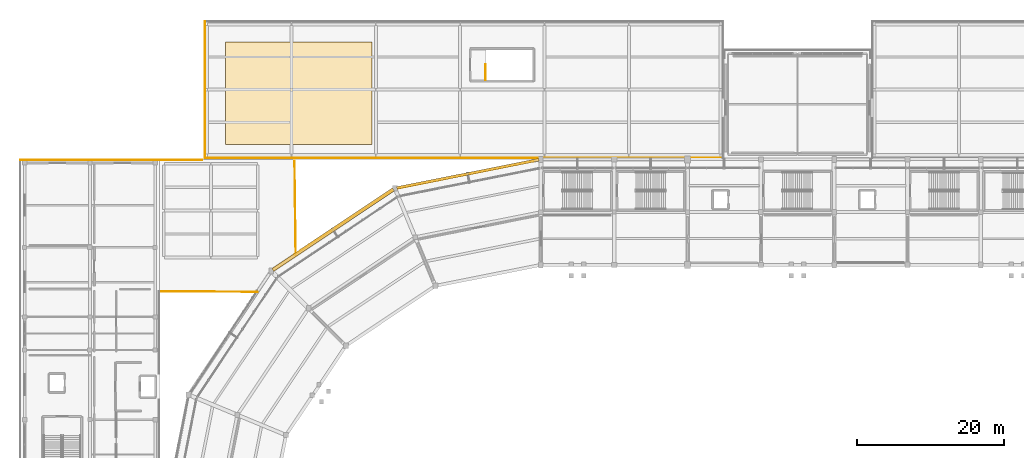
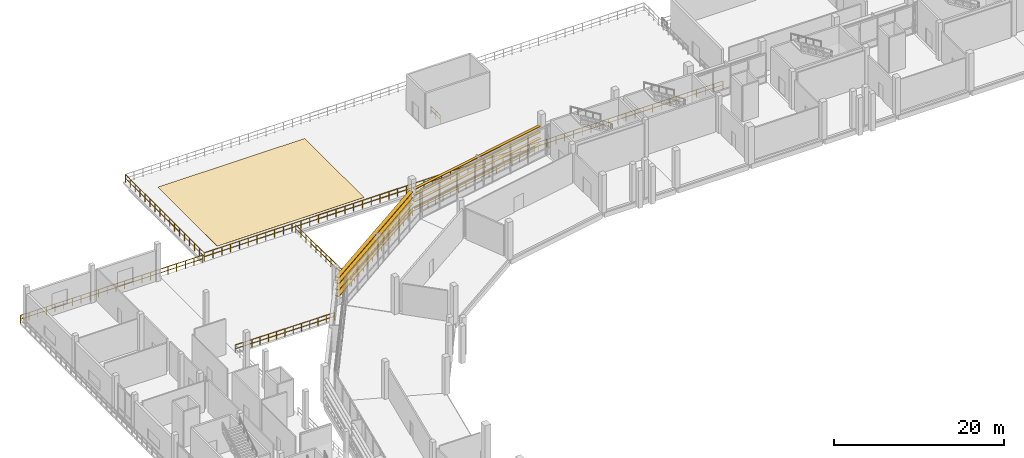
# One storey, part 104 of 111: 8 railings, 8 shading devices, 1 covering.
"""IFC4 building model written with IfcOpenShell, lengths in metres."""

from ifc_helpers import new_model, si_unit, direction, frame, origin, origin_2d, place, context, subcontext, project, spatial, polyline, rectangle, circle, outline, extrude, material, layer, layer_set, type_object, element, save


model = new_model("IFC4")

# Units and contexts
model_context = context("Model", 3, precision=1e-05, world=origin(), true_north=direction((0.0, 1.0)))
body_context = subcontext(model_context, "Body", "Model", "MODEL_VIEW")
ifc_project = project(units=[si_unit("LENGTHUNIT", "METRE"), si_unit("AREAUNIT", "SQUARE_METRE"), si_unit("VOLUMEUNIT", "CUBIC_METRE"), si_unit("PLANEANGLEUNIT", "RADIAN"), si_unit("MASSUNIT", "GRAM", prefix="KILO")], contexts=[model_context])

# Site, building, storey
site_placement = place(None, origin())
site = spatial("IfcSite", under=ifc_project, at=site_placement, CompositionType="ELEMENT")
building_placement = place(site_placement, origin())
building = spatial("IfcBuilding", under=site, at=building_placement, Name="Candeia Ridge Stadium", CompositionType="ELEMENT")
storey_placement = place(building_placement, frame((0.0, 0.0, 16.199951171875)))
storey = spatial("IfcBuildingStorey", under=building, at=storey_placement, Name="L03", CompositionType="ELEMENT", Elevation=16.199951171875)

# Railings
ifc_material_1 = material(Name="Laminated Glass & Stainless Steel", Category="steel")
ifc_layer_1 = layer(ifc_material_1, 0.080078125, Name="Laminated Glass & Stainless Steel", Category="steel")
ifc_layer_set_1 = layer_set([ifc_layer_1], Name="Laminated Glass & Stainless Steel")
railing_type_1 = type_object("IfcRailingType", Name="Planted Terrace Glass-Steel Guard 1150", PredefinedType="BALUSTRADE", material=ifc_layer_set_1)
railing_1_placement = place(storey_placement, frame((95.800048828125, 147.199951171875, 0.0)))
element("IfcRailing", 1, at=railing_1_placement, inside=storey, type_object=railing_type_1, Name="Terrace perimeter balustrade GR-TER-187", PredefinedType="BALUSTRADE", context=body_context, shape_type="SweptSolid", body=[
    extrude(circle(Radius=0.02392578125, at=origin_2d()), frame((0.0, 0.0, 1.1259765625), z_axis=(-1.0, 0.0, 0.0), x_axis=(0.0, -1.0, 0.0)), (0.0, 0.0, 1.0), 70.60009765625),
    extrude(circle(Radius=0.02392578125, at=origin_2d()), frame((0.0, 0.0, 0.574951171875), z_axis=(-1.0, 0.0, 0.0), x_axis=(0.0, -1.0, 0.0)), (0.0, 0.0, 1.0), 70.60009765625),
    extrude(circle(Radius=0.02099609375, at=origin_2d()), origin(), (0.0, 0.0, 1.0), 1.101806640625),
    extrude(circle(Radius=0.02099609375, at=origin_2d()), frame((-1.196533203125, 0.0, 0.0)), (0.0, 0.0, 1.0), 1.101806640625),
    extrude(circle(Radius=0.02099609375, at=origin_2d()), frame((-2.393310546875, 0.0, 0.0)), (0.0, 0.0, 1.0), 1.101806640625),
    extrude(circle(Radius=0.02099609375, at=origin_2d()), frame((-3.58984375, 0.0, 0.0)), (0.0, 0.0, 1.0), 1.101806640625),
    extrude(circle(Radius=0.02099609375, at=origin_2d()), frame((-4.786376953125, 0.0, 0.0)), (0.0, 0.0, 1.0), 1.101806640625),
    extrude(circle(Radius=0.02099609375, at=origin_2d()), frame((-5.983154296875, 0.0, 0.0)), (0.0, 0.0, 1.0), 1.101806640625),
    extrude(circle(Radius=0.02099609375, at=origin_2d()), frame((-7.1796875, 0.0, 0.0)), (0.0, 0.0, 1.0), 1.101806640625),
    extrude(circle(Radius=0.02099609375, at=origin_2d()), frame((-8.376220703125, 0.0, 0.0)), (0.0, 0.0, 1.0), 1.101806640625),
    extrude(circle(Radius=0.02099609375, at=origin_2d()), frame((-9.572998046875, 0.0, 0.0)), (0.0, 0.0, 1.0), 1.101806640625),
    extrude(circle(Radius=0.02099609375, at=origin_2d()), frame((-10.76953125, 0.0, 0.0)), (0.0, 0.0, 1.0), 1.101806640625),
    extrude(circle(Radius=0.02099609375, at=origin_2d()), frame((-11.966064453125, 0.0, 0.0)), (0.0, 0.0, 1.0), 1.101806640625),
    extrude(circle(Radius=0.02099609375, at=origin_2d()), frame((-13.162841796875, 0.0, 0.0)), (0.0, 0.0, 1.0), 1.101806640625),
    extrude(circle(Radius=0.02099609375, at=origin_2d()), frame((-14.359375, 0.0, 0.0)), (0.0, 0.0, 1.0), 1.101806640625),
    extrude(circle(Radius=0.02099609375, at=origin_2d()), frame((-15.555908203125, 0.0, 0.0)), (0.0, 0.0, 1.0), 1.101806640625),
    extrude(circle(Radius=0.02099609375, at=origin_2d()), frame((-16.752685546875, 0.0, 0.0)), (0.0, 0.0, 1.0), 1.101806640625),
    extrude(circle(Radius=0.02099609375, at=origin_2d()), frame((-17.94921875, 0.0, 0.0)), (0.0, 0.0, 1.0), 1.101806640625),
    extrude(circle(Radius=0.02099609375, at=origin_2d()), frame((-19.145751953125, 0.0, 0.0)), (0.0, 0.0, 1.0), 1.101806640625),
    extrude(circle(Radius=0.02099609375, at=origin_2d()), frame((-20.34228515625, 0.0, 0.0)), (0.0, 0.0, 1.0), 1.101806640625),
    extrude(circle(Radius=0.02099609375, at=origin_2d()), frame((-21.5390625, 0.0, 0.0)), (0.0, 0.0, 1.0), 1.101806640625),
    extrude(circle(Radius=0.02099609375, at=origin_2d()), frame((-22.735595703125, 0.0, 0.0)), (0.0, 0.0, 1.0), 1.101806640625),
    extrude(circle(Radius=0.02099609375, at=origin_2d()), frame((-23.93212890625, 0.0, 0.0)), (0.0, 0.0, 1.0), 1.101806640625),
    extrude(circle(Radius=0.02099609375, at=origin_2d()), frame((-25.12890625, 0.0, 0.0)), (0.0, 0.0, 1.0), 1.101806640625),
    extrude(circle(Radius=0.02099609375, at=origin_2d()), frame((-26.325439453125, 0.0, 0.0)), (0.0, 0.0, 1.0), 1.101806640625),
    extrude(circle(Radius=0.02099609375, at=origin_2d()), frame((-27.52197265625, 0.0, 0.0)), (0.0, 0.0, 1.0), 1.101806640625),
    extrude(circle(Radius=0.02099609375, at=origin_2d()), frame((-28.71875, 0.0, 0.0)), (0.0, 0.0, 1.0), 1.101806640625),
    extrude(circle(Radius=0.02099609375, at=origin_2d()), frame((-29.915283203125, 0.0, 0.0)), (0.0, 0.0, 1.0), 1.101806640625),
    extrude(circle(Radius=0.02099609375, at=origin_2d()), frame((-31.11181640625, 0.0, 0.0)), (0.0, 0.0, 1.0), 1.101806640625),
    extrude(circle(Radius=0.02099609375, at=origin_2d()), frame((-32.30859375, 0.0, 0.0)), (0.0, 0.0, 1.0), 1.101806640625),
    extrude(circle(Radius=0.02099609375, at=origin_2d()), frame((-33.505126953125, 0.0, 0.0)), (0.0, 0.0, 1.0), 1.101806640625),
    extrude(circle(Radius=0.02099609375, at=origin_2d()), frame((-34.70166015625, 0.0, 0.0)), (0.0, 0.0, 1.0), 1.101806640625),
    extrude(circle(Radius=0.02099609375, at=origin_2d()), frame((-35.8984375, 0.0, 0.0)), (0.0, 0.0, 1.0), 1.101806640625),
    extrude(circle(Radius=0.02099609375, at=origin_2d()), frame((-37.094970703125, 0.0, 0.0)), (0.0, 0.0, 1.0), 1.101806640625),
    extrude(circle(Radius=0.02099609375, at=origin_2d()), frame((-38.29150390625, 0.0, 0.0)), (0.0, 0.0, 1.0), 1.101806640625),
    extrude(circle(Radius=0.02099609375, at=origin_2d()), frame((-39.48828125, 0.0, 0.0)), (0.0, 0.0, 1.0), 1.101806640625),
    extrude(circle(Radius=0.02099609375, at=origin_2d()), frame((-40.684814453125, 0.0, 0.0)), (0.0, 0.0, 1.0), 1.101806640625),
    extrude(circle(Radius=0.02099609375, at=origin_2d()), frame((-41.88134765625, 0.0, 0.0)), (0.0, 0.0, 1.0), 1.101806640625),
    extrude(circle(Radius=0.02099609375, at=origin_2d()), frame((-43.078125, 0.0, 0.0)), (0.0, 0.0, 1.0), 1.101806640625),
    extrude(circle(Radius=0.02099609375, at=origin_2d()), frame((-44.274658203125, 0.0, 0.0)), (0.0, 0.0, 1.0), 1.101806640625),
    extrude(circle(Radius=0.02099609375, at=origin_2d()), frame((-45.47119140625, 0.0, 0.0)), (0.0, 0.0, 1.0), 1.101806640625),
    extrude(circle(Radius=0.02099609375, at=origin_2d()), frame((-46.66796875, 0.0, 0.0)), (0.0, 0.0, 1.0), 1.101806640625),
    extrude(circle(Radius=0.02099609375, at=origin_2d()), frame((-47.864501953125, 0.0, 0.0)), (0.0, 0.0, 1.0), 1.101806640625),
    extrude(circle(Radius=0.02099609375, at=origin_2d()), frame((-49.06103515625, 0.0, 0.0)), (0.0, 0.0, 1.0), 1.101806640625),
    extrude(circle(Radius=0.02099609375, at=origin_2d()), frame((-50.2578125, 0.0, 0.0)), (0.0, 0.0, 1.0), 1.101806640625),
    extrude(circle(Radius=0.02099609375, at=origin_2d()), frame((-51.454345703125, 0.0, 0.0)), (0.0, 0.0, 1.0), 1.101806640625),
    extrude(circle(Radius=0.02099609375, at=origin_2d()), frame((-52.65087890625, 0.0, 0.0)), (0.0, 0.0, 1.0), 1.101806640625),
    extrude(circle(Radius=0.02099609375, at=origin_2d()), frame((-53.847412109375, 0.0, 0.0)), (0.0, 0.0, 1.0), 1.101806640625),
    extrude(circle(Radius=0.02099609375, at=origin_2d()), frame((-55.044189453125, 0.0, 0.0)), (0.0, 0.0, 1.0), 1.101806640625),
    extrude(circle(Radius=0.02099609375, at=origin_2d()), frame((-56.24072265625, 0.0, 0.0)), (0.0, 0.0, 1.0), 1.101806640625),
    extrude(circle(Radius=0.02099609375, at=origin_2d()), frame((-57.437255859375, 0.0, 0.0)), (0.0, 0.0, 1.0), 1.101806640625),
    extrude(circle(Radius=0.02099609375, at=origin_2d()), frame((-58.634033203125, 0.0, 0.0)), (0.0, 0.0, 1.0), 1.101806640625),
    extrude(circle(Radius=0.02099609375, at=origin_2d()), frame((-59.83056640625, 0.0, 0.0)), (0.0, 0.0, 1.0), 1.101806640625),
    extrude(circle(Radius=0.02099609375, at=origin_2d()), frame((-61.027099609375, 0.0, 0.0)), (0.0, 0.0, 1.0), 1.101806640625),
    extrude(circle(Radius=0.02099609375, at=origin_2d()), frame((-62.223876953125, 0.0, 0.0)), (0.0, 0.0, 1.0), 1.101806640625),
    extrude(circle(Radius=0.02099609375, at=origin_2d()), frame((-63.42041015625, 0.0, 0.0)), (0.0, 0.0, 1.0), 1.101806640625),
    extrude(circle(Radius=0.02099609375, at=origin_2d()), frame((-64.616943359375, 0.0, 0.0)), (0.0, 0.0, 1.0), 1.101806640625),
    extrude(circle(Radius=0.02099609375, at=origin_2d()), frame((-65.813720703125, 0.0, 0.0)), (0.0, 0.0, 1.0), 1.101806640625),
    extrude(circle(Radius=0.02099609375, at=origin_2d()), frame((-67.01025390625, 0.0, 0.0)), (0.0, 0.0, 1.0), 1.101806640625),
    extrude(circle(Radius=0.02099609375, at=origin_2d()), frame((-68.206787109375, 0.0, 0.0)), (0.0, 0.0, 1.0), 1.101806640625),
    extrude(circle(Radius=0.02099609375, at=origin_2d()), frame((-69.403564453125, 0.0, 0.0)), (0.0, 0.0, 1.0), 1.101806640625),
    extrude(circle(Radius=0.02099609375, at=origin_2d()), frame((-70.60009765625, 0.0, 0.0)), (0.0, 0.0, 1.0), 1.101806640625),
])
railing_2_placement = place(storey_placement, frame((25.199951171875, 147.199951171875, 0.0)))
element("IfcRailing", 2, at=railing_2_placement, inside=storey, type_object=railing_type_1, Name="Terrace perimeter balustrade GR-TER-188", PredefinedType="BALUSTRADE", context=body_context, shape_type="SweptSolid", body=[
    extrude(circle(Radius=0.02392578125, at=origin_2d()), frame((0.0, 0.0, 1.1259765625), z_axis=(0.0, 1.0, 0.0), x_axis=(-1.0, 0.0, 0.0)), (0.0, 0.0, 1.0), 18.60009765625),
    extrude(circle(Radius=0.02392578125, at=origin_2d()), frame((0.0, 0.0, 0.574951171875), z_axis=(0.0, 1.0, 0.0), x_axis=(-1.0, 0.0, 0.0)), (0.0, 0.0, 1.0), 18.60009765625),
    extrude(circle(Radius=0.02099609375, at=origin_2d()), origin(), (0.0, 0.0, 1.0), 1.101806640625),
    extrude(circle(Radius=0.02099609375, at=origin_2d()), frame((0.0, 1.16259765625, 0.0)), (0.0, 0.0, 1.0), 1.101806640625),
    extrude(circle(Radius=0.02099609375, at=origin_2d()), frame((0.0, 2.324951171875, 0.0)), (0.0, 0.0, 1.0), 1.101806640625),
    extrude(circle(Radius=0.02099609375, at=origin_2d()), frame((0.0, 3.487548828125, 0.0)), (0.0, 0.0, 1.0), 1.101806640625),
    extrude(circle(Radius=0.02099609375, at=origin_2d()), frame((0.0, 4.64990234375, 0.0)), (0.0, 0.0, 1.0), 1.101806640625),
    extrude(circle(Radius=0.02099609375, at=origin_2d()), frame((0.0, 5.8125, 0.0)), (0.0, 0.0, 1.0), 1.101806640625),
    extrude(circle(Radius=0.02099609375, at=origin_2d()), frame((0.0, 6.97509765625, 0.0)), (0.0, 0.0, 1.0), 1.101806640625),
    extrude(circle(Radius=0.02099609375, at=origin_2d()), frame((0.0, 8.137451171875, 0.0)), (0.0, 0.0, 1.0), 1.101806640625),
    extrude(circle(Radius=0.02099609375, at=origin_2d()), frame((0.0, 9.300048828125, 0.0)), (0.0, 0.0, 1.0), 1.101806640625),
    extrude(circle(Radius=0.02099609375, at=origin_2d()), frame((0.0, 10.462646484375, 0.0)), (0.0, 0.0, 1.0), 1.101806640625),
    extrude(circle(Radius=0.02099609375, at=origin_2d()), frame((0.0, 11.625, 0.0)), (0.0, 0.0, 1.0), 1.101806640625),
    extrude(circle(Radius=0.02099609375, at=origin_2d()), frame((0.0, 12.78759765625, 0.0)), (0.0, 0.0, 1.0), 1.101806640625),
    extrude(circle(Radius=0.02099609375, at=origin_2d()), frame((0.0, 13.9501953125, 0.0)), (0.0, 0.0, 1.0), 1.101806640625),
    extrude(circle(Radius=0.02099609375, at=origin_2d()), frame((0.0, 15.112548828125, 0.0)), (0.0, 0.0, 1.0), 1.101806640625),
    extrude(circle(Radius=0.02099609375, at=origin_2d()), frame((0.0, 16.275146484375, 0.0)), (0.0, 0.0, 1.0), 1.101806640625),
    extrude(circle(Radius=0.02099609375, at=origin_2d()), frame((0.0, 17.4375, 0.0)), (0.0, 0.0, 1.0), 1.101806640625),
    extrude(circle(Radius=0.02099609375, at=origin_2d()), frame((0.0, 18.60009765625, 0.0)), (0.0, 0.0, 1.0), 1.101806640625),
])

# Covering
ifc_material_2 = material(Name="EPDM Root-Barrier Waterproof Membrane", Category="concrete")
ifc_layer_2 = layer(ifc_material_2, 0.02001953125, Name="EPDM Root-Barrier Waterproof Membrane", Category="concrete")
ifc_layer_set_2 = layer_set([ifc_layer_2], Name="EPDM Root-Barrier Waterproof Membrane")
covering_type = type_object("IfcCoveringType", Name="Planted Terrace Waterproof Membrane 20", PredefinedType="ROOFING", material=ifc_layer_set_2)
covering_placement = place(storey_placement, origin())
element("IfcCovering", 3, at=covering_placement, inside=storey, type_object=covering_type, Name="Terrace waterproof membrane RMEM-03", PredefinedType="ROOFING", context=body_context, shape_type="SweptSolid", body=[
    extrude(outline(polyline([(28.0, 149.0), (48.0, 149.0), (48.0, 163.0), (28.0, 163.0), (28.0, 149.0)])), origin(), (0.0, 0.0, 1.0), 0.02001953125),
])

# Railings
ifc_material_3 = material(Name="Galvanized Powder-Coated Steel", Category="steel")
ifc_layer_3 = layer(ifc_material_3, 0.074951171875, Name="Galvanized Powder-Coated Steel", Category="steel")
ifc_layer_set_3 = layer_set([ifc_layer_3], Name="Galvanized Powder-Coated Steel")
railing_type_2 = type_object("IfcRailingType", Name="Spectator Bowl Front Guardrail 1120", PredefinedType="GUARDRAIL", material=ifc_layer_set_3)
railing_3_placement = place(storey_placement, frame((0.0, 146.919921875, 0.0)))
element("IfcRailing", 4, at=railing_3_placement, inside=storey, type_object=railing_type_2, Name="Deck edge safety guardrail GR-DE-L03-0147", PredefinedType="GUARDRAIL", context=body_context, shape_type="SweptSolid", body=[
    extrude(circle(Radius=0.02392578125, at=origin_2d()), frame((0.0, 0.0, 1.09619140625), z_axis=(1.0, 0.0, 0.0), x_axis=(0.0, 1.0, 0.0)), (0.0, 0.0, 1.0), 24.830810546875),
    extrude(circle(Radius=0.02392578125, at=origin_2d()), frame((0.0, 0.0, 0.56005859375), z_axis=(1.0, 0.0, 0.0), x_axis=(0.0, 1.0, 0.0)), (0.0, 0.0, 1.0), 24.830810546875),
    extrude(circle(Radius=0.02099609375, at=origin_2d()), origin(), (0.0, 0.0, 1.0), 1.072021484375),
    extrude(circle(Radius=0.02099609375, at=origin_2d()), frame((1.182373046875, 0.0, 0.0)), (0.0, 0.0, 1.0), 1.072021484375),
    extrude(circle(Radius=0.02099609375, at=origin_2d()), frame((2.36474609375, 0.0, 0.0)), (0.0, 0.0, 1.0), 1.072021484375),
    extrude(circle(Radius=0.02099609375, at=origin_2d()), frame((3.54736328125, 0.0, 0.0)), (0.0, 0.0, 1.0), 1.072021484375),
    extrude(circle(Radius=0.02099609375, at=origin_2d()), frame((4.729736328125, 0.0, 0.0)), (0.0, 0.0, 1.0), 1.072021484375),
    extrude(circle(Radius=0.02099609375, at=origin_2d()), frame((5.912109375, 0.0, 0.0)), (0.0, 0.0, 1.0), 1.072021484375),
    extrude(circle(Radius=0.02099609375, at=origin_2d()), frame((7.094482421875, 0.0, 0.0)), (0.0, 0.0, 1.0), 1.072021484375),
    extrude(circle(Radius=0.02099609375, at=origin_2d()), frame((8.27685546875, 0.0, 0.0)), (0.0, 0.0, 1.0), 1.072021484375),
    extrude(circle(Radius=0.02099609375, at=origin_2d()), frame((9.45947265625, 0.0, 0.0)), (0.0, 0.0, 1.0), 1.072021484375),
    extrude(circle(Radius=0.02099609375, at=origin_2d()), frame((10.641845703125, 0.0, 0.0)), (0.0, 0.0, 1.0), 1.072021484375),
    extrude(circle(Radius=0.02099609375, at=origin_2d()), frame((11.82421875, 0.0, 0.0)), (0.0, 0.0, 1.0), 1.072021484375),
    extrude(circle(Radius=0.02099609375, at=origin_2d()), frame((13.006591796875, 0.0, 0.0)), (0.0, 0.0, 1.0), 1.072021484375),
    extrude(circle(Radius=0.02099609375, at=origin_2d()), frame((14.18896484375, 0.0, 0.0)), (0.0, 0.0, 1.0), 1.072021484375),
    extrude(circle(Radius=0.02099609375, at=origin_2d()), frame((15.371337890625, 0.0, 0.0)), (0.0, 0.0, 1.0), 1.072021484375),
    extrude(circle(Radius=0.02099609375, at=origin_2d()), frame((16.553955078125, 0.0, 0.0)), (0.0, 0.0, 1.0), 1.072021484375),
    extrude(circle(Radius=0.02099609375, at=origin_2d()), frame((17.736328125, 0.0, 0.0)), (0.0, 0.0, 1.0), 1.072021484375),
    extrude(circle(Radius=0.02099609375, at=origin_2d()), frame((18.918701171875, 0.0, 0.0)), (0.0, 0.0, 1.0), 1.072021484375),
    extrude(circle(Radius=0.02099609375, at=origin_2d()), frame((20.10107421875, 0.0, 0.0)), (0.0, 0.0, 1.0), 1.072021484375),
    extrude(circle(Radius=0.02099609375, at=origin_2d()), frame((21.283447265625, 0.0, 0.0)), (0.0, 0.0, 1.0), 1.072021484375),
    extrude(circle(Radius=0.02099609375, at=origin_2d()), frame((22.466064453125, 0.0, 0.0)), (0.0, 0.0, 1.0), 1.072021484375),
    extrude(circle(Radius=0.02099609375, at=origin_2d()), frame((23.6484375, 0.0, 0.0)), (0.0, 0.0, 1.0), 1.072021484375),
    extrude(circle(Radius=0.02099609375, at=origin_2d()), frame((24.830810546875, 0.0, 0.0)), (0.0, 0.0, 1.0), 1.072021484375),
])
railing_4_placement = place(storey_placement, frame((37.45556640625, 134.020751953125, 0.0)))
element("IfcRailing", 5, at=railing_4_placement, inside=storey, type_object=railing_type_2, Name="Deck edge safety guardrail GR-DE-L03-0174", PredefinedType="GUARDRAIL", context=body_context, shape_type="SweptSolid", body=[
    extrude(circle(Radius=0.02392578125, at=origin_2d()), frame((0.0, 0.0, 1.09619140625), z_axis=(0.836677098571, 0.547696478651, 0.0), x_axis=(-0.547696478651, 0.836677098571, 0.0)), (0.0, 0.0, 1.0), 16.3271484375),
    extrude(circle(Radius=0.02392578125, at=origin_2d()), frame((0.0, 0.0, 0.56005859375), z_axis=(0.836677098571, 0.547696478651, 0.0), x_axis=(-0.547696478651, 0.836677098571, 0.0)), (0.0, 0.0, 1.0), 16.3271484375),
    extrude(circle(Radius=0.02099609375, at=origin_2d()), origin(), (0.0, 0.0, 1.0), 1.072021484375),
    extrude(circle(Radius=0.02099609375, at=origin_2d()), frame((0.975830078125, 0.638671875, 0.0)), (0.0, 0.0, 1.0), 1.072021484375),
    extrude(circle(Radius=0.02099609375, at=origin_2d()), frame((1.951416015625, 1.277587890625, 0.0)), (0.0, 0.0, 1.0), 1.072021484375),
    extrude(circle(Radius=0.02099609375, at=origin_2d()), frame((2.92724609375, 1.916259765625, 0.0)), (0.0, 0.0, 1.0), 1.072021484375),
    extrude(circle(Radius=0.02099609375, at=origin_2d()), frame((3.903076171875, 2.554931640625, 0.0)), (0.0, 0.0, 1.0), 1.072021484375),
    extrude(circle(Radius=0.02099609375, at=origin_2d()), frame((4.87890625, 3.193603515625, 0.0)), (0.0, 0.0, 1.0), 1.072021484375),
    extrude(circle(Radius=0.02099609375, at=origin_2d()), frame((5.8544921875, 3.83251953125, 0.0)), (0.0, 0.0, 1.0), 1.072021484375),
    extrude(circle(Radius=0.02099609375, at=origin_2d()), frame((6.830322265625, 4.47119140625, 0.0)), (0.0, 0.0, 1.0), 1.072021484375),
    extrude(circle(Radius=0.02099609375, at=origin_2d()), frame((7.80615234375, 5.10986328125, 0.0)), (0.0, 0.0, 1.0), 1.072021484375),
    extrude(circle(Radius=0.02099609375, at=origin_2d()), frame((8.78173828125, 5.748779296875, 0.0)), (0.0, 0.0, 1.0), 1.072021484375),
    extrude(circle(Radius=0.02099609375, at=origin_2d()), frame((9.757568359375, 6.387451171875, 0.0)), (0.0, 0.0, 1.0), 1.072021484375),
    extrude(circle(Radius=0.02099609375, at=origin_2d()), frame((10.7333984375, 7.026123046875, 0.0)), (0.0, 0.0, 1.0), 1.072021484375),
    extrude(circle(Radius=0.02099609375, at=origin_2d()), frame((11.709228515625, 7.664794921875, 0.0)), (0.0, 0.0, 1.0), 1.072021484375),
    extrude(circle(Radius=0.02099609375, at=origin_2d()), frame((12.684814453125, 8.3037109375, 0.0)), (0.0, 0.0, 1.0), 1.072021484375),
    extrude(circle(Radius=0.02099609375, at=origin_2d()), frame((13.66064453125, 8.9423828125, 0.0)), (0.0, 0.0, 1.0), 1.072021484375),
])
railing_5_placement = place(storey_placement, frame((51.1162109375, 142.963134765625, 0.0)))
element("IfcRailing", 6, at=railing_5_placement, inside=storey, type_object=railing_type_2, Name="Deck edge safety guardrail GR-DE-L03-0175", PredefinedType="GUARDRAIL", context=body_context, shape_type="SweptSolid", body=[
    extrude(circle(Radius=0.02392578125, at=origin_2d()), frame((0.0, 0.0, 1.09619140625), z_axis=(0.980784978629, 0.195091839133, 0.0), x_axis=(-0.195091839133, 0.980784978629, 0.0)), (0.0, 0.0, 1.0), 19.16162109375),
    extrude(circle(Radius=0.02392578125, at=origin_2d()), frame((0.0, 0.0, 0.56005859375), z_axis=(0.980784978629, 0.195091839133, 0.0), x_axis=(-0.195091839133, 0.980784978629, 0.0)), (0.0, 0.0, 1.0), 19.16162109375),
    extrude(circle(Radius=0.02099609375, at=origin_2d()), origin(), (0.0, 0.0, 1.0), 1.072021484375),
    extrude(circle(Radius=0.02099609375, at=origin_2d()), frame((1.174560546875, 0.233642578125, 0.0)), (0.0, 0.0, 1.0), 1.072021484375),
    extrude(circle(Radius=0.02099609375, at=origin_2d()), frame((2.34912109375, 0.46728515625, 0.0)), (0.0, 0.0, 1.0), 1.072021484375),
    extrude(circle(Radius=0.02099609375, at=origin_2d()), frame((3.523681640625, 0.700927734375, 0.0)), (0.0, 0.0, 1.0), 1.072021484375),
    extrude(circle(Radius=0.02099609375, at=origin_2d()), frame((4.6982421875, 0.9345703125, 0.0)), (0.0, 0.0, 1.0), 1.072021484375),
    extrude(circle(Radius=0.02099609375, at=origin_2d()), frame((5.873046875, 1.168212890625, 0.0)), (0.0, 0.0, 1.0), 1.072021484375),
    extrude(circle(Radius=0.02099609375, at=origin_2d()), frame((7.047607421875, 1.40185546875, 0.0)), (0.0, 0.0, 1.0), 1.072021484375),
    extrude(circle(Radius=0.02099609375, at=origin_2d()), frame((8.22216796875, 1.635498046875, 0.0)), (0.0, 0.0, 1.0), 1.072021484375),
    extrude(circle(Radius=0.02099609375, at=origin_2d()), frame((9.396728515625, 1.869140625, 0.0)), (0.0, 0.0, 1.0), 1.072021484375),
    extrude(circle(Radius=0.02099609375, at=origin_2d()), frame((10.5712890625, 2.102783203125, 0.0)), (0.0, 0.0, 1.0), 1.072021484375),
    extrude(circle(Radius=0.02099609375, at=origin_2d()), frame((11.745849609375, 2.33642578125, 0.0)), (0.0, 0.0, 1.0), 1.072021484375),
    extrude(circle(Radius=0.02099609375, at=origin_2d()), frame((12.92041015625, 2.570068359375, 0.0)), (0.0, 0.0, 1.0), 1.072021484375),
    extrude(circle(Radius=0.02099609375, at=origin_2d()), frame((14.09521484375, 2.8037109375, 0.0)), (0.0, 0.0, 1.0), 1.072021484375),
    extrude(circle(Radius=0.02099609375, at=origin_2d()), frame((15.269775390625, 3.037353515625, 0.0)), (0.0, 0.0, 1.0), 1.072021484375),
    extrude(circle(Radius=0.02099609375, at=origin_2d()), frame((16.4443359375, 3.27099609375, 0.0)), (0.0, 0.0, 1.0), 1.072021484375),
    extrude(circle(Radius=0.02099609375, at=origin_2d()), frame((17.618896484375, 3.504638671875, 0.0)), (0.0, 0.0, 1.0), 1.072021484375),
    extrude(circle(Radius=0.02099609375, at=origin_2d()), frame((18.79345703125, 3.73828125, 0.0)), (0.0, 0.0, 1.0), 1.072021484375),
])
railing_6_placement = place(storey_placement, frame((37.419921875, 146.780029296875, 0.0)))
element("IfcRailing", 7, at=railing_6_placement, inside=storey, type_object=railing_type_2, Name="Deck edge safety guardrail GR-DE-L03-0176", PredefinedType="GUARDRAIL", context=body_context, shape_type="SweptSolid", body=[
    extrude(circle(Radius=0.02392578125, at=origin_2d()), frame((0.0, 0.0, 1.09619140625), z_axis=(0.012485940102, -0.999922047612, 0.0), x_axis=(0.999922047612, 0.012485940102, 0.0)), (0.0, 0.0, 1.0), 12.826904296875),
    extrude(circle(Radius=0.02392578125, at=origin_2d()), frame((0.0, 0.0, 0.56005859375), z_axis=(0.012485940102, -0.999922047612, 0.0), x_axis=(0.999922047612, 0.012485940102, 0.0)), (0.0, 0.0, 1.0), 12.826904296875),
    extrude(circle(Radius=0.02099609375, at=origin_2d()), origin(), (0.0, 0.0, 1.0), 1.072021484375),
    extrude(circle(Radius=0.02099609375, at=origin_2d()), frame((0.0146484375, -1.166015625, 0.0)), (0.0, 0.0, 1.0), 1.072021484375),
    extrude(circle(Radius=0.02099609375, at=origin_2d()), frame((0.029052734375, -2.33203125, 0.0)), (0.0, 0.0, 1.0), 1.072021484375),
    extrude(circle(Radius=0.02099609375, at=origin_2d()), frame((0.043701171875, -3.498046875, 0.0)), (0.0, 0.0, 1.0), 1.072021484375),
    extrude(circle(Radius=0.02099609375, at=origin_2d()), frame((0.058349609375, -4.6640625, 0.0)), (0.0, 0.0, 1.0), 1.072021484375),
    extrude(circle(Radius=0.02099609375, at=origin_2d()), frame((0.07275390625, -5.830078125, 0.0)), (0.0, 0.0, 1.0), 1.072021484375),
    extrude(circle(Radius=0.02099609375, at=origin_2d()), frame((0.08740234375, -6.995849609375, 0.0)), (0.0, 0.0, 1.0), 1.072021484375),
    extrude(circle(Radius=0.02099609375, at=origin_2d()), frame((0.101806640625, -8.161865234375, 0.0)), (0.0, 0.0, 1.0), 1.072021484375),
    extrude(circle(Radius=0.02099609375, at=origin_2d()), frame((0.116455078125, -9.327880859375, 0.0)), (0.0, 0.0, 1.0), 1.072021484375),
    extrude(circle(Radius=0.02099609375, at=origin_2d()), frame((0.131103515625, -10.493896484375, 0.0)), (0.0, 0.0, 1.0), 1.072021484375),
    extrude(circle(Radius=0.02099609375, at=origin_2d()), frame((0.1455078125, -11.659912109375, 0.0)), (0.0, 0.0, 1.0), 1.072021484375),
    extrude(circle(Radius=0.02099609375, at=origin_2d()), frame((0.16015625, -12.825927734375, 0.0)), (0.0, 0.0, 1.0), 1.072021484375),
])
railing_7_placement = place(storey_placement, frame((32.3798828125, 128.919921875, 0.0)))
element("IfcRailing", 8, at=railing_7_placement, inside=storey, type_object=railing_type_2, Name="Deck edge safety guardrail GR-DE-L03-0177", PredefinedType="GUARDRAIL", context=body_context, shape_type="SweptSolid", body=[
    extrude(circle(Radius=0.02392578125, at=origin_2d()), frame((0.0, 0.0, 1.09619140625), z_axis=(-0.99998230304, 0.005949252619, 0.0), x_axis=(-0.005949252619, -0.99998230304, 0.0)), (0.0, 0.0, 1.0), 13.460205078125),
    extrude(circle(Radius=0.02392578125, at=origin_2d()), frame((0.0, 0.0, 0.56005859375), z_axis=(-0.99998230304, 0.005949252619, 0.0), x_axis=(-0.005949252619, -0.99998230304, 0.0)), (0.0, 0.0, 1.0), 13.460205078125),
    extrude(circle(Radius=0.02099609375, at=origin_2d()), origin(), (0.0, 0.0, 1.0), 1.072021484375),
    extrude(circle(Radius=0.02099609375, at=origin_2d()), frame((-1.12158203125, 0.006591796875, 0.0)), (0.0, 0.0, 1.0), 1.072021484375),
    extrude(circle(Radius=0.02099609375, at=origin_2d()), frame((-2.243408203125, 0.013427734375, 0.0)), (0.0, 0.0, 1.0), 1.072021484375),
    extrude(circle(Radius=0.02099609375, at=origin_2d()), frame((-3.364990234375, 0.02001953125, 0.0)), (0.0, 0.0, 1.0), 1.072021484375),
    extrude(circle(Radius=0.02099609375, at=origin_2d()), frame((-4.486572265625, 0.026611328125, 0.0)), (0.0, 0.0, 1.0), 1.072021484375),
    extrude(circle(Radius=0.02099609375, at=origin_2d()), frame((-5.6083984375, 0.033447265625, 0.0)), (0.0, 0.0, 1.0), 1.072021484375),
    extrude(circle(Radius=0.02099609375, at=origin_2d()), frame((-6.72998046875, 0.0400390625, 0.0)), (0.0, 0.0, 1.0), 1.072021484375),
    extrude(circle(Radius=0.02099609375, at=origin_2d()), frame((-7.8515625, 0.046630859375, 0.0)), (0.0, 0.0, 1.0), 1.072021484375),
    extrude(circle(Radius=0.02099609375, at=origin_2d()), frame((-8.973388671875, 0.053466796875, 0.0)), (0.0, 0.0, 1.0), 1.072021484375),
    extrude(circle(Radius=0.02099609375, at=origin_2d()), frame((-10.094970703125, 0.06005859375, 0.0)), (0.0, 0.0, 1.0), 1.072021484375),
    extrude(circle(Radius=0.02099609375, at=origin_2d()), frame((-11.216552734375, 0.066650390625, 0.0)), (0.0, 0.0, 1.0), 1.072021484375),
    extrude(circle(Radius=0.02099609375, at=origin_2d()), frame((-12.33837890625, 0.073486328125, 0.0)), (0.0, 0.0, 1.0), 1.072021484375),
    extrude(circle(Radius=0.02099609375, at=origin_2d()), frame((-13.4599609375, 0.080078125, 0.0)), (0.0, 0.0, 1.0), 1.072021484375),
])
ifc_layer_4 = layer(ifc_material_3, 0.06005859375, Name="Galvanized Powder-Coated Steel", Category="steel")
ifc_layer_set_4 = layer_set([ifc_layer_4], Name="Galvanized Powder-Coated Steel")
railing_type_3 = type_object("IfcRailingType", Name="Stair Well Guardrail 1100", PredefinedType="GUARDRAIL", material=ifc_layer_set_4)
railing_8_placement = place(storey_placement, frame((63.449951171875, 157.800048828125, 0.0)))
element("IfcRailing", 9, at=railing_8_placement, inside=storey, type_object=railing_type_3, Name="L03 ST15 top well guard 1", PredefinedType="GUARDRAIL", context=body_context, shape_type="SweptSolid", body=[
    extrude(circle(Radius=0.02392578125, at=origin_2d()), frame((0.0, 0.0, 1.076171875), z_axis=(0.0, 1.0, 0.0), x_axis=(-1.0, 0.0, 0.0)), (0.0, 0.0, 1.0), 2.14990234375),
    extrude(circle(Radius=0.02392578125, at=origin_2d()), frame((0.0, 0.0, 0.550048828125), z_axis=(0.0, 1.0, 0.0), x_axis=(-1.0, 0.0, 0.0)), (0.0, 0.0, 1.0), 2.14990234375),
    extrude(circle(Radius=0.02099609375, at=origin_2d()), origin(), (0.0, 0.0, 1.0), 1.052001953125),
    extrude(circle(Radius=0.02099609375, at=origin_2d()), frame((0.0, 1.074951171875, 0.0)), (0.0, 0.0, 1.0), 1.052001953125),
    extrude(circle(Radius=0.02099609375, at=origin_2d()), frame((0.0, 2.14990234375, 0.0)), (0.0, 0.0, 1.0), 1.052001953125),
])

# Shading devices
ifc_material_4 = material(Name="Aluminium Anodized Warm Bronze", Category="aluminium")
shading_device_type_1 = type_object("IfcShadingDeviceType", Name="Weathered Bronze Horizontal Solar Rib 380x85", PredefinedType="JALOUSIE", material=ifc_material_4)
for number, where, z_axis, x_axis, name in (
    (10, (61.05029296875, 145.020751953125, 0.891357421875), (0.0, 0.0, 1.0), (-0.980785282416, -0.195090311899, 0.0), "Weathered bronze horizontal solar rib L03 bay 08-1"),
    (11, (61.05029296875, 145.020751953125, 1.825439453125), (0.0, 0.0, 1.0), (-0.980785282416, -0.195090311899, 0.0), "Weathered bronze horizontal solar rib L03 bay 08-2"),
    (12, (61.05029296875, 145.020751953125, 2.75927734375), (0.0, 0.0, 1.0), (-0.980785282416, -0.195090311899, 0.0), "Weathered bronze horizontal solar rib L03 bay 08-3"),
    (13, (61.05029296875, 145.020751953125, 3.608154296875), (0.0, 0.0, 1.0), (-0.980785282416, -0.195090311899, 0.0), "Weathered bronze horizontal solar rib L03 bay 08-4"),
):
    element("IfcShadingDevice", number, at=place(storey_placement, frame(where, z_axis=z_axis, x_axis=x_axis)), inside=storey, type_object=shading_device_type_1, Name=name, PredefinedType="JALOUSIE", context=body_context, shape_type="SweptSolid", body=[
        extrude(rectangle(XDim=19.789306640625, YDim=0.3798828125, at=origin_2d()), origin(), (0.0, 0.0, 1.0), 0.0849609375),
    ])
shading_device_type_2 = type_object("IfcShadingDeviceType", Name="Weathered Bronze Horizontal Solar Rib 500x105", PredefinedType="JALOUSIE", material=ifc_material_4)
for number, where, z_axis, x_axis, name in (
    (14, (42.66552734375, 137.40576171875, 0.87255859375), (0.0, 0.0, 1.0), (-0.831469626973, -0.555570211063, 0.0), "Weathered bronze horizontal solar rib L03 bay 09-1"),
    (15, (42.66552734375, 137.40576171875, 1.7978515625), (0.0, 0.0, 1.0), (-0.831469626973, -0.555570211063, 0.0), "Weathered bronze horizontal solar rib L03 bay 09-2"),
    (16, (42.66552734375, 137.40576171875, 2.722900390625), (0.0, 0.0, 1.0), (-0.831469626973, -0.555570211063, 0.0), "Weathered bronze horizontal solar rib L03 bay 09-3"),
    (17, (42.66552734375, 137.40576171875, 3.56396484375), (0.0, 0.0, 1.0), (-0.831469626973, -0.555570211063, 0.0), "Weathered bronze horizontal solar rib L03 bay 09-4"),
):
    element("IfcShadingDevice", number, at=place(storey_placement, frame(where, z_axis=z_axis, x_axis=x_axis)), inside=storey, type_object=shading_device_type_2, Name=name, PredefinedType="JALOUSIE", context=body_context, shape_type="SweptSolid", body=[
        extrude(rectangle(XDim=19.789306640625, YDim=0.5, at=origin_2d()), origin(), (0.0, 0.0, 1.0), 0.10498046875),
    ])

save(model, "model.ifc")
